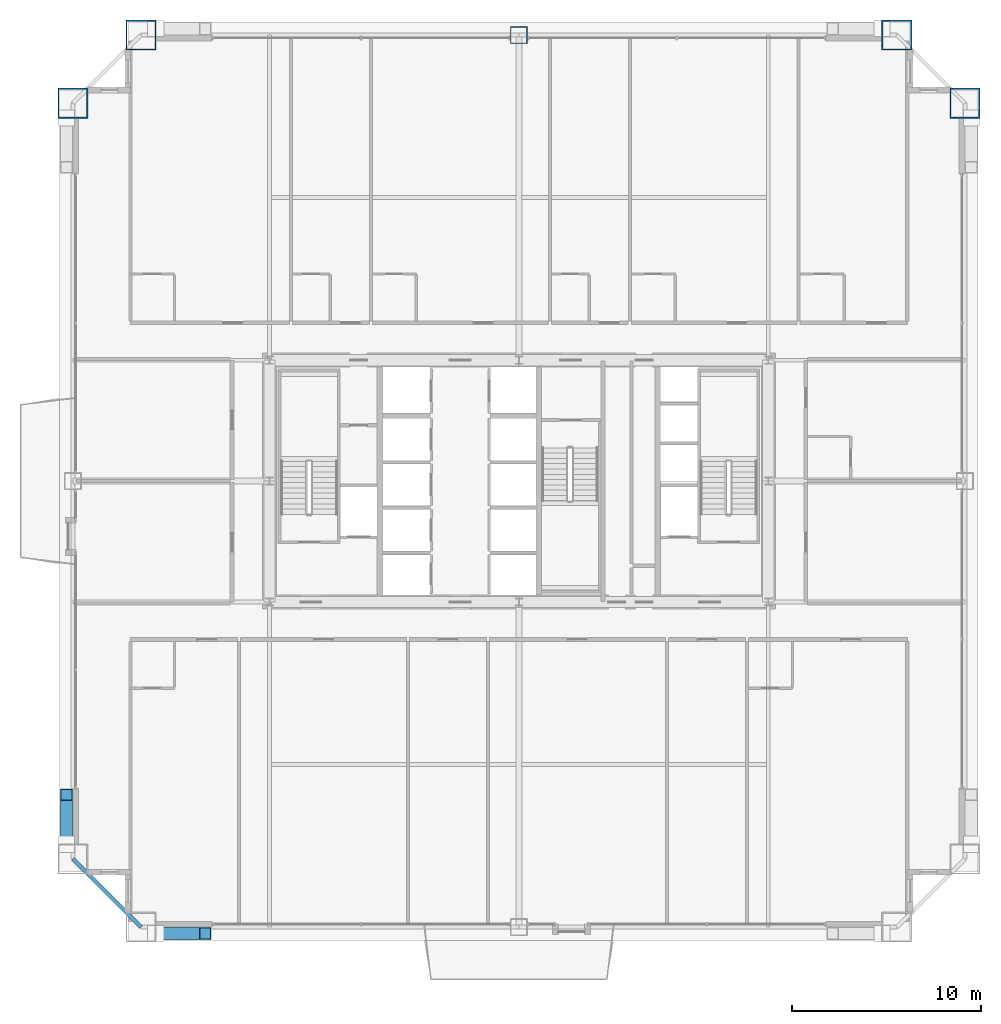
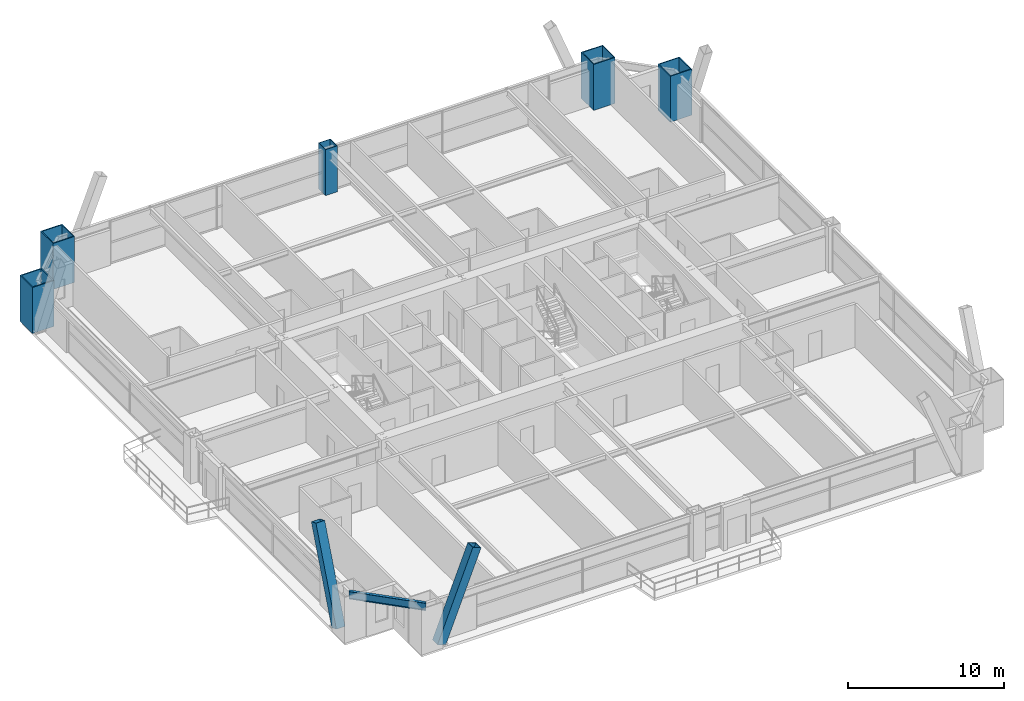
# One storey, part 3 of 42: 5 columns, 2 members, 1 beam.
"""IFC4 building model written with IfcOpenShell, lengths in metres."""

from ifc_helpers import new_model, si_unit, direction, frame, origin, origin_2d, place, context, subcontext, project, spatial, hollow_rectangle, i_section, extrude, source, transform, mapped, material, material_profile, profile_set, type_object, element, save


model = new_model("IFC4")

# Units and contexts
model_context = context("Model", 3, precision=1e-05, world=origin(), true_north=direction((0.0, 1.0)))
body_context = subcontext(model_context, "Body", "Model", "MODEL_VIEW")
ifc_project = project(units=[si_unit("LENGTHUNIT", "METRE"), si_unit("AREAUNIT", "SQUARE_METRE"), si_unit("VOLUMEUNIT", "CUBIC_METRE"), si_unit("PLANEANGLEUNIT", "RADIAN"), si_unit("MASSUNIT", "GRAM", prefix="KILO"), si_unit("THERMODYNAMICTEMPERATUREUNIT", "KELVIN"), si_unit("POWERUNIT", "WATT")], contexts=[model_context])

# Site, building, storey
site_placement = place(None, origin())
site = spatial("IfcSite", under=ifc_project, at=site_placement, CompositionType="ELEMENT")
building_placement = place(site_placement, origin())
building = spatial("IfcBuilding", under=site, at=building_placement, Name="Yuzanri Waterfront Tower", CompositionType="ELEMENT")
storey_placement = place(building_placement, frame((0.0, 0.0, 145.199951171875)))
storey = spatial("IfcBuildingStorey", under=building, at=storey_placement, Name="L38", CompositionType="ELEMENT", Elevation=145.199951171875)

# Columns
ifc_material_1 = material(Name="Steel Q390GJC", Category="steel")
ifc_material_profile_1 = material_profile(ifc_material_1, hollow_rectangle(XDim=0.89990234375, YDim=0.89990234375, WallThickness=0.0419921875, at=origin_2d()), Name="RHS 900x900x42")
ifc_profile_set_1 = profile_set([ifc_material_profile_1], Name="Steel Q390GJC")
column_type_1 = type_object("IfcColumnType", Name="Frame Column Q390GJC RHS 900x900x42", PredefinedType="COLUMN", material=ifc_profile_set_1)
shared_shape_1 = source(origin(), body_context, "Body", "SweptSolid", [
    extrude(hollow_rectangle(XDim=0.89990234375, YDim=0.89990234375, WallThickness=0.0419921875, at=origin_2d()), origin(), (0.0, 0.0, 1.0), 3.60009765625),
])
column_placement = place(storey_placement, frame((37.0, 49.39990234375, 0.0), z_axis=(0.0, 0.0, 1.0), x_axis=(1.0, 0.0, 0.0)))
element("IfcColumn", 1, at=column_placement, inside=storey, type_object=column_type_1, Name="L38 Perimeter Frame Column N2", PredefinedType="COLUMN", context=body_context, shape_type="MappedRepresentation", body=[
    mapped(shared_shape_1, transform((0.0, 0.0, 0.0), scale=1.0)),
])
ifc_material_2 = material(Name="Steel Q420GJC", Category="steel")
ifc_material_profile_2 = material_profile(ifc_material_2, hollow_rectangle(XDim=1.60009765625, YDim=1.60009765625, WallThickness=0.070068359375, at=origin_2d()), Name="RHS 1600x1600x70")
ifc_profile_set_2 = profile_set([ifc_material_profile_2], Name="Steel Q420GJC")
column_type_2 = type_object("IfcColumnType", Name="Mega Column Q420GJC RHS 1600x1600x70", PredefinedType="COLUMN", material=ifc_profile_set_2)
shared_shape_2 = source(origin(), body_context, "Body", "SweptSolid", [
    extrude(hollow_rectangle(XDim=1.60009765625, YDim=1.60009765625, WallThickness=0.070068359375, at=origin_2d()), origin(), (0.0, 0.0, 1.0), 3.60009765625),
])
for number, where, z_axis, x_axis, name in (
    (2, (17.0, 49.39990234375, 0.0), (0.0, 0.0, 1.0), (1.0, 0.0, 0.0), "L38 Perimeter Mega Column N1"),
    (3, (57.0, 49.39990234375, 0.0), (0.0, 0.0, 1.0), (1.0, 0.0, 0.0), "L38 Perimeter Mega Column N3"),
    (4, (13.39990234375, 45.800048828125, 0.0), (0.0, 0.0, 1.0), (1.0, 0.0, 0.0), "L38 Perimeter Mega Column W3"),
    (5, (60.60009765625, 45.800048828125, 0.0), (0.0, 0.0, 1.0), (1.0, 0.0, 0.0), "L38 Perimeter Mega Column E3"),
):
    element("IfcColumn", number, at=place(storey_placement, frame(where, z_axis=z_axis, x_axis=x_axis)), inside=storey, type_object=column_type_2, Name=name, PredefinedType="COLUMN", context=body_context, shape_type="MappedRepresentation", body=[
        mapped(shared_shape_2, transform((0.0, 0.0, 0.0), scale=1.0)),
    ])

# Beam
ifc_material_3 = material(Name="Steel Q355B", Category="steel")
ifc_material_profile_3 = material_profile(ifc_material_3, i_section(OverallWidth=0.199951171875, OverallDepth=0.60009765625, WebThickness=0.010986328125, FlangeThickness=0.01708984375, at=origin_2d()), Name="HN 600x200x11x17")
ifc_profile_set_3 = profile_set([ifc_material_profile_3], Name="Steel Q355B")
beam_type = type_object("IfcBeamType", Name="Perimeter Spandrel Q355B HN 600x200", PredefinedType="SPANDREL", material=ifc_profile_set_3)
shared_shape_3 = source(origin(), body_context, "Body", "SweptSolid", [
    extrude(i_section(OverallWidth=0.199951171875, OverallDepth=0.60009765625, WebThickness=0.010986328125, FlangeThickness=0.01708984375, at=origin_2d()), origin(), (0.0, 0.0, 1.0), 5.09130859375),
])
beam_placement = place(storey_placement, frame((13.39990234375, 5.800048828125, 3.080078125), z_axis=(0.707106781187, -0.707106781187, 0.0), x_axis=(0.707106781187, 0.707106781187, 0.0)))
element("IfcBeam", 6, at=beam_placement, inside=storey, type_object=beam_type, Name="L38 Perimeter Spandrel W1-S1", PredefinedType="SPANDREL", context=body_context, shape_type="MappedRepresentation", body=[
    mapped(shared_shape_3, transform((0.0, 0.0, 0.0), scale=1.0)),
])

# Members
ifc_material_4 = material(Name="Steel Q420GJC", Category="steel")
ifc_material_profile_4 = material_profile(ifc_material_4, hollow_rectangle(XDim=0.64990234375, YDim=0.64990234375, WallThickness=0.028076171875, at=origin_2d()), Name="RHS 650x650x28")
ifc_profile_set_4 = profile_set([ifc_material_profile_4], Name="Steel Q420GJC")
member_type = type_object("IfcMemberType", Name="Mega Brace Lower Q420GJC RHS 650x650x28", PredefinedType="BRACE", material=ifc_profile_set_4)
shared_shape_4 = source(origin(), body_context, "Body", "SweptSolid", [
    extrude(hollow_rectangle(XDim=0.64990234375, YDim=0.64990234375, WallThickness=0.028076171875, at=origin_2d()), origin(), (0.0, 0.0, 1.0), 7.194091796875),
])
for number, where, z_axis, x_axis, name in (
    (7, (17.780029296875, 1.860107421875, 0.179931640625), (0.36416517997, 0.0, 0.931334376955), (0.0, 1.0, 0.0), "L38-L39 Perimeter Mega-Brace S-L"),
    (8, (13.06005859375, 6.580078125, 0.179931640625), (0.0, 0.36416517997, 0.931334376955), (-1.0, 0.0, 0.0), "L38-L39 Perimeter Mega-Brace W-L"),
):
    element("IfcMember", number, at=place(storey_placement, frame(where, z_axis=z_axis, x_axis=x_axis)), inside=storey, type_object=member_type, Name=name, PredefinedType="BRACE", context=body_context, shape_type="MappedRepresentation", body=[
        mapped(shared_shape_4, transform((0.0, 0.0, 0.0), scale=1.0)),
    ])

save(model, "model.ifc")
